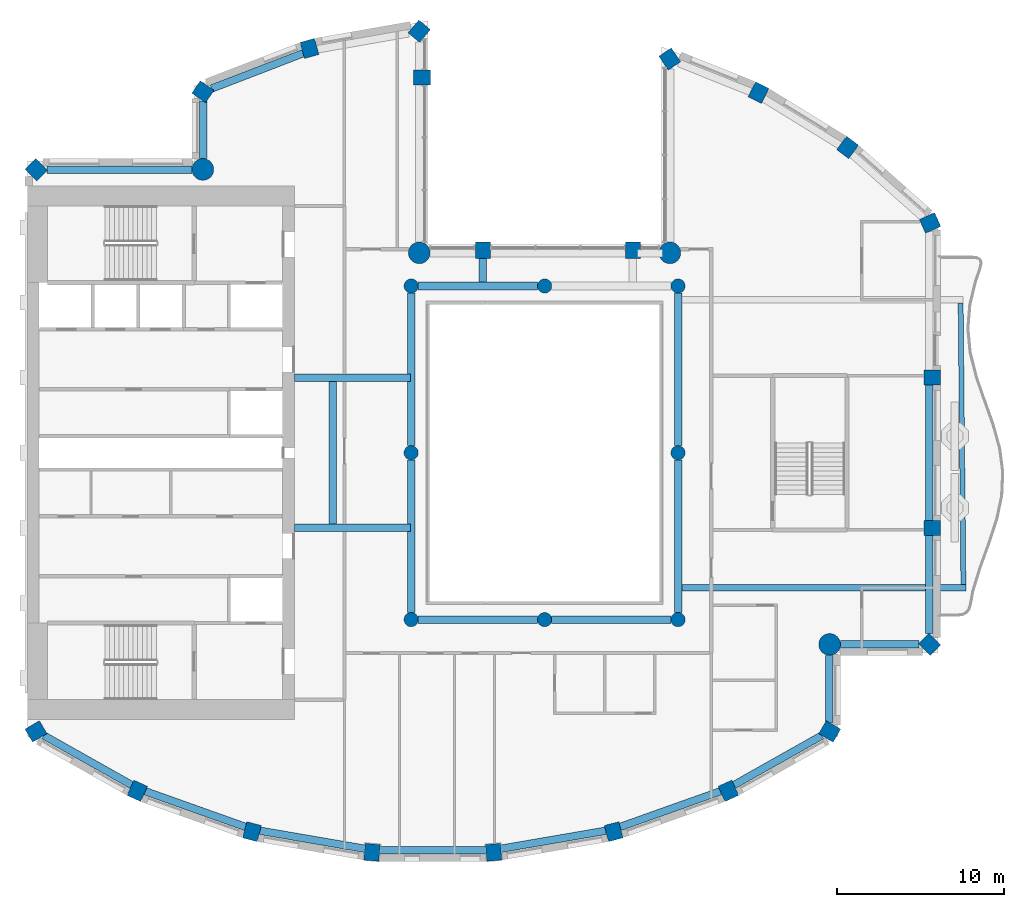
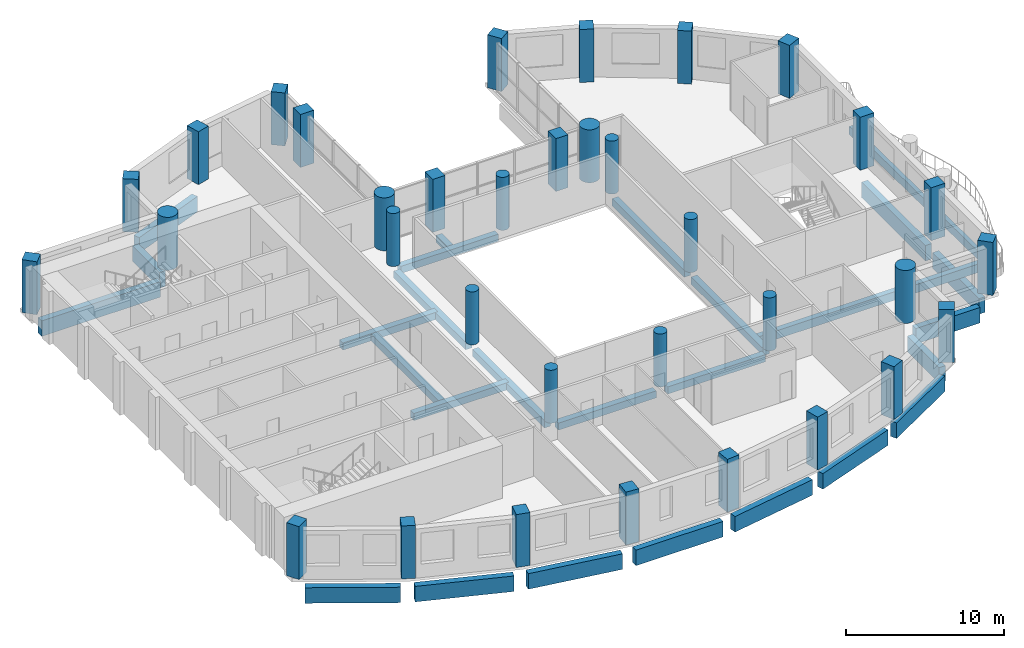
# One storey, part 1 of 14: 34 columns, 27 beams.
"""IFC4 building model written with IfcOpenShell, lengths in metres."""

from ifc_helpers import new_model, si_unit, direction, frame, origin, origin_2d, place, context, subcontext, project, spatial, rectangle, circle, extrude, material, material_profile, profile_set, type_object, element, save


model = new_model("IFC4")

# Units and contexts
model_context = context("Model", 3, precision=1e-05, world=origin(), true_north=direction((0.0, 1.0)))
body_context = subcontext(model_context, "Body", "Model", "MODEL_VIEW")
ifc_project = project(units=[si_unit("LENGTHUNIT", "METRE"), si_unit("AREAUNIT", "SQUARE_METRE"), si_unit("VOLUMEUNIT", "CUBIC_METRE"), si_unit("PLANEANGLEUNIT", "RADIAN"), si_unit("MASSUNIT", "GRAM", prefix="KILO")], contexts=[model_context])

# Site, building, storey
site_placement = place(None, origin())
site = spatial("IfcSite", under=ifc_project, at=site_placement, CompositionType="ELEMENT")
building_placement = place(site_placement, origin())
building = spatial("IfcBuilding", under=site, at=building_placement, Name="Cypress Arch Tower", CompositionType="ELEMENT")
storey_placement = place(building_placement, frame((0.0, 0.0, 284.39990234375)))
storey = spatial("IfcBuildingStorey", under=building, at=storey_placement, Name="L64", CompositionType="ELEMENT", Elevation=284.39990234375)

# Columns
ifc_material_1 = material(Name="Concrete C60/75", Category="concrete")
ifc_material_profile_1 = material_profile(ifc_material_1, rectangle(XDim=0.89990234375, YDim=1.0, at=origin_2d()), Name="RC 900x1000")
ifc_profile_set_1 = profile_set([ifc_material_profile_1], Name="Concrete C60/75")
column_type_1 = type_object("IfcColumnType", Name="Column RC 900x1000 Concrete C60/75", PredefinedType="COLUMN", material=ifc_profile_set_1)
for number, where, z_axis, x_axis, name in (
    (1, (8.5029296875, 23.606201171875, 0.0), (0.0, 0.0, 1.0), (-0.828469606019, -0.560034027451, 0.0), "Column L64 CC00"),
    (2, (6.300048828125, 12.14990234375, 0.0), (0.0, 0.0, 1.0), (-1.0, 0.0, 0.0), "Column L64 CC02"),
    (3, (-2.699951171875, 12.14990234375, 0.0), (0.0, 0.0, 1.0), (-1.0, 0.0, 0.0), "Column L64 CC03"),
    (4, (-6.35009765625, 22.5, 0.0), (0.0, 0.0, 1.0), (0.0, 1.0, 0.0), "Column L64 CC05"),
    (5, (-6.51611328125, 25.27490234375, 0.0), (0.0, 0.0, 1.0), (-0.766063514674, 0.642764880407, 0.0), "Column L64 CC06"),
    (6, (-13.0947265625, 24.241455078125, 0.0), (0.0, 0.0, 1.0), (-0.96345574646, -0.267867550506, 0.0), "Column L64 CC07"),
    (7, (-19.483154296875, 21.645263671875, 0.0), (0.0, 0.0, 1.0), (-0.565892599589, -0.824478966215, 0.0), "Column L64 CC08"),
    (8, (-29.478271484375, 16.978271484375, 0.0), (0.0, 0.0, 1.0), (-0.707106781187, -0.707106781187, 0.0), "Column L64 CC10"),
    (9, (-29.4912109375, -16.702880859375, 0.0), (0.0, 0.0, 1.0), (0.504399289829, -0.86347053014, 0.0), "Column L64 CC11"),
    (10, (-23.4189453125, -20.266845703125, 0.0), (0.0, 0.0, 1.0), (0.909932071487, -0.414757308891, 0.0), "Column L64 CC12"),
    (11, (-16.541748046875, -22.714599609375, 0.0), (0.0, 0.0, 1.0), (0.96735573689, -0.2534223319, 0.0), "Column L64 CC13"),
    (12, (-9.346923828125, -23.95361328125, 0.0), (0.0, 0.0, 1.0), (0.996368206733, -0.085149260784, 0.0), "Column L64 CC14"),
    (13, (-2.052978515625, -23.95361328125, 0.0), (0.0, 0.0, 1.0), (0.996368206733, 0.085149260784, 0.0), "Column L64 CC15"),
    (14, (5.1416015625, -22.714599609375, 0.0), (0.0, 0.0, 1.0), (0.96735573689, 0.2534223319, 0.0), "Column L64 CC16"),
    (15, (12.01904296875, -20.266845703125, 0.0), (0.0, 0.0, 1.0), (0.909932071487, 0.414757308891, 0.0), "Column L64 CC17"),
    (16, (18.09130859375, -16.702880859375, 0.0), (0.0, 0.0, 1.0), (0.504399289829, 0.86347053014, 0.0), "Column L64 CC18"),
    (17, (24.078369140625, -11.478271484375, 0.0), (0.0, 0.0, 1.0), (0.707106781187, 0.707106781187, 0.0), "Column L64 CC20"),
    (18, (24.25, -4.5, 0.0), (0.0, 0.0, 1.0), (0.0, 1.0, 0.0), "Column L64 CC21"),
    (19, (24.25, 4.5, 0.0), (0.0, 0.0, 1.0), (0.0, 1.0, 0.0), "Column L64 CC22"),
    (20, (24.109619140625, 13.77978515625, 0.0), (0.0, 0.0, 1.0), (-0.409765058504, 0.912191096662, 0.0), "Column L64 CC23"),
    (21, (19.168212890625, 18.307861328125, 0.0), (0.0, 0.0, 1.0), (-0.802798546114, 0.596250362144, 0.0), "Column L64 CC24"),
    (22, (13.82568359375, 21.59375, 0.0), (0.0, 0.0, 1.0), (-0.893106499805, 0.44984528452, 0.0), "Column L64 CC25"),
):
    element("IfcColumn", number, at=place(storey_placement, frame(where, z_axis=z_axis, x_axis=x_axis)), inside=storey, type_object=column_type_1, Name=name, PredefinedType="COLUMN", context=body_context, shape_type="SweptSolid", body=[
        extrude(rectangle(XDim=0.89990234375, YDim=1.0, at=origin_2d()), origin(), (0.0, 0.0, 1.0), 4.10009765625),
    ])
ifc_material_2 = material(Name="Concrete C60/75", Category="concrete")
ifc_material_profile_2 = material_profile(ifc_material_2, circle(Radius=0.425048828125, at=origin_2d()), Name="RC D850")
ifc_profile_set_2 = profile_set([ifc_material_profile_2], Name="Concrete C60/75")
column_type_2 = type_object("IfcColumnType", Name="Column RC D850 Concrete C60/75", PredefinedType="COLUMN", material=ifc_profile_set_2)
for number, where, z_axis, x_axis, name in (
    (23, (-7.0, -10.0, 0.0), (0.0, 0.0, 1.0), (1.0, 0.0, 0.0), "Column L64 RNG-L64-G-7-10"),
    (24, (-7.0, 0.0, 0.0), (0.0, 0.0, 1.0), (1.0, 0.0, 0.0), "Column L64 RNG-L64-G-7+0"),
    (25, (-7.0, 10.0, 0.0), (0.0, 0.0, 1.0), (1.0, 0.0, 0.0), "Column L64 RNG-L64-G-7+10"),
    (26, (1.0, -10.0, 0.0), (0.0, 0.0, 1.0), (1.0, 0.0, 0.0), "Column L64 RNG-L64-G+1-10"),
    (27, (1.0, 10.0, 0.0), (0.0, 0.0, 1.0), (1.0, 0.0, 0.0), "Column L64 RNG-L64-G+1+10"),
    (28, (9.0, -10.0, 0.0), (0.0, 0.0, 1.0), (1.0, 0.0, 0.0), "Column L64 RNG-L64-G+9-10"),
    (29, (9.0, 0.0, 0.0), (0.0, 0.0, 1.0), (1.0, 0.0, 0.0), "Column L64 RNG-L64-G+9+0"),
    (30, (9.0, 10.0, 0.0), (0.0, 0.0, 1.0), (1.0, 0.0, 0.0), "Column L64 RNG-L64-G+9+10"),
):
    element("IfcColumn", number, at=place(storey_placement, frame(where, z_axis=z_axis, x_axis=x_axis)), inside=storey, type_object=column_type_2, Name=name, PredefinedType="COLUMN", context=body_context, shape_type="SweptSolid", body=[
        extrude(circle(Radius=0.425048828125, at=origin_2d()), origin(), (0.0, 0.0, 1.0), 4.10009765625),
    ])
ifc_material_3 = material(Name="Concrete C60/75", Category="concrete")
ifc_material_profile_3 = material_profile(ifc_material_3, circle(Radius=0.64990234375, at=origin_2d()), Name="RC D1300")
ifc_profile_set_3 = profile_set([ifc_material_profile_3], Name="Concrete C60/75")
column_type_3 = type_object("IfcColumnType", Name="Mega-column RC D1300 Concrete C60/75", PredefinedType="COLUMN", material=ifc_profile_set_3)
for number, where, z_axis, x_axis, name in (
    (31, (8.51220703125, 11.98779296875, 0.0), (0.0, 0.0, 1.0), (1.0, 0.0, 0.0), "Column L64 CC01"),
    (32, (-6.51220703125, 11.98779296875, 0.0), (0.0, 0.0, 1.0), (1.0, 0.0, 0.0), "Column L64 CC04"),
    (33, (-19.48779296875, 16.98779296875, 0.0), (0.0, 0.0, 1.0), (1.0, 0.0, 0.0), "Column L64 CC09"),
    (34, (18.087890625, -11.48779296875, 0.0), (0.0, 0.0, 1.0), (1.0, 0.0, 0.0), "Column L64 CC19"),
):
    element("IfcColumn", number, at=place(storey_placement, frame(where, z_axis=z_axis, x_axis=x_axis)), inside=storey, type_object=column_type_3, Name=name, PredefinedType="COLUMN", context=body_context, shape_type="SweptSolid", body=[
        extrude(circle(Radius=0.64990234375, at=origin_2d()), origin(), (0.0, 0.0, 1.0), 4.10009765625),
    ])

# Beams
ifc_material_4 = material(Name="Concrete C50/60", Category="concrete")
ifc_material_profile_4 = material_profile(ifc_material_4, rectangle(XDim=0.300048828125, YDim=0.64990234375, at=origin_2d()), Name="RC 300x650")
ifc_profile_set_4 = profile_set([ifc_material_profile_4], Name="Concrete C50/60")
beam_type_1 = type_object("IfcBeamType", Name="Balcony edge beam RC 300x650 Concrete C50/60", PredefinedType="BEAM", material=ifc_profile_set_4)
beam_1_placement = place(storey_placement, frame((26.107177734375, -7.89990234375, -0.625), z_axis=(-0.00974632308, 0.999952503465, 0.0), x_axis=(-0.999952503465, -0.00974632308, 0.0)))
element("IfcBeam", 35, at=beam_1_placement, inside=storey, type_object=beam_type_1, Name="Balcony edge beam L64 C17", PredefinedType="BEAM", context=body_context, shape_type="SweptSolid", body=[
    extrude(rectangle(XDim=0.300048828125, YDim=0.64990234375, at=origin_2d()), origin(), (0.0, 0.0, 1.0), 16.88330078125),
])
ifc_material_5 = material(Name="Concrete C50/60", Category="concrete")
ifc_material_profile_5 = material_profile(ifc_material_5, rectangle(XDim=0.39990234375, YDim=0.64990234375, at=origin_2d()), Name="RC 400x650")
ifc_profile_set_5 = profile_set([ifc_material_profile_5], Name="Concrete C50/60")
beam_type_2 = type_object("IfcBeamType", Name="Cantilever beam RC 400x650 Concrete C50/60", PredefinedType="BEAM", material=ifc_profile_set_5)
beam_2_placement = place(storey_placement, frame((9.22509765625, -8.10009765625, -0.625), z_axis=(1.0, 0.0, 0.0), x_axis=(0.0, 1.0, 0.0)))
element("IfcBeam", 36, at=beam_2_placement, inside=storey, type_object=beam_type_2, Name="Cantilever beam L64 C17 1", PredefinedType="BEAM", context=body_context, shape_type="SweptSolid", body=[
    extrude(rectangle(XDim=0.39990234375, YDim=0.64990234375, at=origin_2d()), origin(), (0.0, 0.0, 1.0), 17.031982421875),
])
ifc_material_6 = material(Name="Concrete C50/60", Category="concrete")
ifc_material_profile_6 = material_profile(ifc_material_6, rectangle(XDim=0.449951171875, YDim=0.550048828125, at=origin_2d()), Name="RC 450x550")
ifc_profile_set_6 = profile_set([ifc_material_profile_6], Name="Concrete C50/60")
beam_type_3 = type_object("IfcBeamType", Name="Floor beam RC 450x550 Concrete C50/60", PredefinedType="BEAM", material=ifc_profile_set_6)
for number, where, z_axis, x_axis, name in (
    (37, (-7.0, -9.574951171875, -0.574951171875), (0.0, 1.0, 0.0), (-1.0, 0.0, 0.0), "Floor beam L64 RB001"),
    (38, (-7.0, 0.425048828125, -0.574951171875), (0.0, 1.0, 0.0), (-1.0, 0.0, 0.0), "Floor beam L64 RB002"),
    (39, (9.0, -9.574951171875, -0.574951171875), (0.0, 1.0, 0.0), (-1.0, 0.0, 0.0), "Floor beam L64 RB003"),
    (40, (9.0, 0.425048828125, -0.574951171875), (0.0, 1.0, 0.0), (-1.0, 0.0, 0.0), "Floor beam L64 RB004"),
):
    element("IfcBeam", number, at=place(storey_placement, frame(where, z_axis=z_axis, x_axis=x_axis)), inside=storey, type_object=beam_type_3, Name=name, PredefinedType="BEAM", context=body_context, shape_type="SweptSolid", body=[
        extrude(rectangle(XDim=0.449951171875, YDim=0.550048828125, at=origin_2d()), origin(), (0.0, 0.0, 1.0), 9.14990234375),
    ])
for number, where, z_axis, x_axis, name in (
    (41, (-6.574951171875, -10.0, -0.574951171875), (1.0, 0.0, 0.0), (0.0, 1.0, 0.0), "Floor beam L64 RB005"),
    (42, (1.425048828125, -10.0, -0.574951171875), (1.0, 0.0, 0.0), (0.0, 1.0, 0.0), "Floor beam L64 RB006"),
    (43, (-6.574951171875, 10.0, -0.574951171875), (1.0, 0.0, 0.0), (0.0, 1.0, 0.0), "Floor beam L64 RB007"),
):
    element("IfcBeam", number, at=place(storey_placement, frame(where, z_axis=z_axis, x_axis=x_axis)), inside=storey, type_object=beam_type_3, Name=name, PredefinedType="BEAM", context=body_context, shape_type="SweptSolid", body=[
        extrude(rectangle(XDim=0.449951171875, YDim=0.550048828125, at=origin_2d()), origin(), (0.0, 0.0, 1.0), 7.14990234375),
    ])
for number, where, z_axis, x_axis, name in (
    (44, (-14.0, -4.5, -0.574951171875), (1.0, 0.0, 0.0), (0.0, 1.0, 0.0), "Floor beam L64 FB009"),
    (45, (-14.0, 4.5, -0.574951171875), (1.0, 0.0, 0.0), (0.0, 1.0, 0.0), "Floor beam L64 FB010"),
):
    element("IfcBeam", number, at=place(storey_placement, frame(where, z_axis=z_axis, x_axis=x_axis)), inside=storey, type_object=beam_type_3, Name=name, PredefinedType="BEAM", context=body_context, shape_type="SweptSolid", body=[
        extrude(rectangle(XDim=0.449951171875, YDim=0.550048828125, at=origin_2d()), origin(), (0.0, 0.0, 1.0), 6.949951171875),
    ])
beam_3_placement = place(storey_placement, frame((-11.699951171875, -4.27490234375, -0.574951171875), z_axis=(0.0, 1.0, 0.0), x_axis=(-1.0, 0.0, 0.0)))
element("IfcBeam", 46, at=beam_3_placement, inside=storey, type_object=beam_type_3, Name="Floor beam L64 FB011", PredefinedType="BEAM", context=body_context, shape_type="SweptSolid", body=[
    extrude(rectangle(XDim=0.449951171875, YDim=0.550048828125, at=origin_2d()), origin(), (0.0, 0.0, 1.0), 8.5498046875),
])
beam_4_placement = place(storey_placement, frame((-2.699951171875, 10.22509765625, -0.574951171875), z_axis=(0.0, 1.0, 0.0), x_axis=(-1.0, 0.0, 0.0)))
element("IfcBeam", 47, at=beam_4_placement, inside=storey, type_object=beam_type_3, Name="Floor beam L64 FB012", PredefinedType="BEAM", context=body_context, shape_type="SweptSolid", body=[
    extrude(rectangle(XDim=0.449951171875, YDim=0.550048828125, at=origin_2d()), origin(), (0.0, 0.0, 1.0), 1.4248046875),
])
ifc_material_7 = material(Name="Concrete C50/60", Category="concrete")
ifc_material_profile_7 = material_profile(ifc_material_7, rectangle(XDim=0.449951171875, YDim=1.199951171875, at=origin_2d()), Name="RC 450x1200")
ifc_profile_set_7 = profile_set([ifc_material_profile_7], Name="Concrete C50/60")
beam_type_4 = type_object("IfcBeamType", Name="Spandrel beam RC 450x1200 Concrete C50/60", PredefinedType="SPANDREL", material=ifc_profile_set_7)
beam_5_placement = place(storey_placement, frame((-13.48046875, 23.94921875, -1.5498046875), z_axis=(-0.933138853319, -0.359516175472, 0.0), x_axis=(0.359516175472, -0.933138853319, 0.0)))
element("IfcBeam", 48, at=beam_5_placement, inside=storey, type_object=beam_type_4, Name="Spandrel beam L64 BC04-0", PredefinedType="SPANDREL", context=body_context, shape_type="SweptSolid", body=[
    extrude(rectangle(XDim=0.449951171875, YDim=1.199951171875, at=origin_2d()), origin(), (0.0, 0.0, 1.0), 5.878173828125),
])
beam_6_placement = place(storey_placement, frame((-19.47509765625, 21.09375, -1.5498046875), z_axis=(0.0, -1.0, 0.0), x_axis=(1.0, 0.0, 0.0)))
element("IfcBeam", 49, at=beam_6_placement, inside=storey, type_object=beam_type_4, Name="Spandrel beam L64 BC05-0", PredefinedType="SPANDREL", context=body_context, shape_type="SweptSolid", body=[
    extrude(rectangle(XDim=0.449951171875, YDim=1.199951171875, at=origin_2d()), origin(), (0.0, 0.0, 1.0), 3.456298828125),
])
beam_7_placement = place(storey_placement, frame((-20.137451171875, 16.97509765625, -1.5498046875), z_axis=(-1.0, 0.0, 0.0), x_axis=(0.0, -1.0, 0.0)))
element("IfcBeam", 50, at=beam_7_placement, inside=storey, type_object=beam_type_4, Name="Spandrel beam L64 BC06-0", PredefinedType="SPANDREL", context=body_context, shape_type="SweptSolid", body=[
    extrude(rectangle(XDim=0.449951171875, YDim=1.199951171875, at=origin_2d()), origin(), (0.0, 0.0, 1.0), 8.701171875),
])
beam_8_placement = place(storey_placement, frame((-29.02099609375, -16.94921875, -1.5498046875), z_axis=(0.871059543975, -0.491177433165, 0.0), x_axis=(0.491177433165, 0.871059543975, 0.0)))
element("IfcBeam", 51, at=beam_8_placement, inside=storey, type_object=beam_type_4, Name="Spandrel beam L64 BC08-0", PredefinedType="SPANDREL", context=body_context, shape_type="SweptSolid", body=[
    extrude(rectangle(XDim=0.449951171875, YDim=1.199951171875, at=origin_2d()), origin(), (0.0, 0.0, 1.0), 6.045654296875),
])
beam_9_placement = place(storey_placement, frame((-22.93603515625, -20.2919921875, -1.5498046875), z_axis=(0.942120065582, -0.33527568064, 0.0), x_axis=(0.33527568064, 0.942120065582, 0.0)))
element("IfcBeam", 52, at=beam_9_placement, inside=storey, type_object=beam_type_4, Name="Spandrel beam L64 BC09-0", PredefinedType="SPANDREL", context=body_context, shape_type="SweptSolid", body=[
    extrude(rectangle(XDim=0.449951171875, YDim=1.199951171875, at=origin_2d()), origin(), (0.0, 0.0, 1.0), 6.373046875),
])
beam_10_placement = place(storey_placement, frame((-16.061279296875, -22.656982421875, -1.5498046875), z_axis=(0.985502990778, -0.169658053646, 0.0), x_axis=(0.169658053646, 0.985502990778, 0.0)))
element("IfcBeam", 53, at=beam_10_placement, inside=storey, type_object=beam_type_4, Name="Spandrel beam L64 BC10-0", PredefinedType="SPANDREL", context=body_context, shape_type="SweptSolid", body=[
    extrude(rectangle(XDim=0.449951171875, YDim=1.199951171875, at=origin_2d()), origin(), (0.0, 0.0, 1.0), 6.373291015625),
])
beam_11_placement = place(storey_placement, frame((-8.883544921875, -23.81494140625, -1.5498046875), z_axis=(1.0, 0.0, 0.0), x_axis=(0.0, 1.0, 0.0)))
element("IfcBeam", 54, at=beam_11_placement, inside=storey, type_object=beam_type_4, Name="Spandrel beam L64 BC11-0", PredefinedType="SPANDREL", context=body_context, shape_type="SweptSolid", body=[
    extrude(rectangle(XDim=0.449951171875, YDim=1.199951171875, at=origin_2d()), origin(), (0.0, 0.0, 1.0), 6.366943359375),
])
beam_12_placement = place(storey_placement, frame((-1.619873046875, -23.73828125, -1.5498046875), z_axis=(0.985504093315, 0.169651649149, 0.0), x_axis=(-0.169651649149, 0.985504093315, 0.0)))
element("IfcBeam", 55, at=beam_12_placement, inside=storey, type_object=beam_type_4, Name="Spandrel beam L64 BC12-0", PredefinedType="SPANDREL", context=body_context, shape_type="SweptSolid", body=[
    extrude(rectangle(XDim=0.449951171875, YDim=1.199951171875, at=origin_2d()), origin(), (0.0, 0.0, 1.0), 6.37353515625),
])
beam_13_placement = place(storey_placement, frame((5.531982421875, -22.4287109375, -1.5498046875), z_axis=(0.942115759102, 0.335287781541, 0.0), x_axis=(-0.335287781541, 0.942115759102, 0.0)))
element("IfcBeam", 56, at=beam_13_placement, inside=storey, type_object=beam_type_4, Name="Spandrel beam L64 BC13-0", PredefinedType="SPANDREL", context=body_context, shape_type="SweptSolid", body=[
    extrude(rectangle(XDim=0.449951171875, YDim=1.199951171875, at=origin_2d()), origin(), (0.0, 0.0, 1.0), 6.372802734375),
])
beam_14_placement = place(storey_placement, frame((12.35498046875, -19.918701171875, -1.5498046875), z_axis=(0.871059543975, 0.491177433165, 0.0), x_axis=(-0.491177433165, 0.871059543975, 0.0)))
element("IfcBeam", 57, at=beam_14_placement, inside=storey, type_object=beam_type_4, Name="Spandrel beam L64 BC14-0", PredefinedType="SPANDREL", context=body_context, shape_type="SweptSolid", body=[
    extrude(rectangle(XDim=0.449951171875, YDim=1.199951171875, at=origin_2d()), origin(), (0.0, 0.0, 1.0), 6.045654296875),
])
beam_15_placement = place(storey_placement, frame((18.074951171875, -16.172119140625, -1.5498046875), z_axis=(0.0, 1.0, 0.0), x_axis=(-1.0, 0.0, 0.0)))
element("IfcBeam", 58, at=beam_15_placement, inside=storey, type_object=beam_type_4, Name="Spandrel beam L64 BC15-0", PredefinedType="SPANDREL", context=body_context, shape_type="SweptSolid", body=[
    extrude(rectangle(XDim=0.449951171875, YDim=1.199951171875, at=origin_2d()), origin(), (0.0, 0.0, 1.0), 4.03466796875),
])
beam_16_placement = place(storey_placement, frame((18.737548828125, -11.47509765625, -1.5498046875), z_axis=(1.0, 0.0, 0.0), x_axis=(0.0, 1.0, 0.0)))
element("IfcBeam", 59, at=beam_16_placement, inside=storey, type_object=beam_type_4, Name="Spandrel beam L64 BC16-0", PredefinedType="SPANDREL", context=body_context, shape_type="SweptSolid", body=[
    extrude(rectangle(XDim=0.449951171875, YDim=1.199951171875, at=origin_2d()), origin(), (0.0, 0.0, 1.0), 4.701171875),
])
beam_17_placement = place(storey_placement, frame((24.074951171875, -10.838623046875, -1.5498046875), z_axis=(0.0, 1.0, 0.0), x_axis=(-1.0, 0.0, 0.0)))
element("IfcBeam", 60, at=beam_17_placement, inside=storey, type_object=beam_type_4, Name="Spandrel beam L64 BC17-0", PredefinedType="SPANDREL", context=body_context, shape_type="SweptSolid", body=[
    extrude(rectangle(XDim=0.449951171875, YDim=1.199951171875, at=origin_2d()), origin(), (0.0, 0.0, 1.0), 5.888671875),
])
beam_18_placement = place(storey_placement, frame((24.074951171875, -4.050048828125, -1.5498046875), z_axis=(0.0, 1.0, 0.0), x_axis=(-1.0, 0.0, 0.0)))
element("IfcBeam", 61, at=beam_18_placement, inside=storey, type_object=beam_type_4, Name="Spandrel beam L64 BC17-1", PredefinedType="SPANDREL", context=body_context, shape_type="SweptSolid", body=[
    extrude(rectangle(XDim=0.449951171875, YDim=1.199951171875, at=origin_2d()), origin(), (0.0, 0.0, 1.0), 8.10009765625),
])

save(model, "model.ifc")
